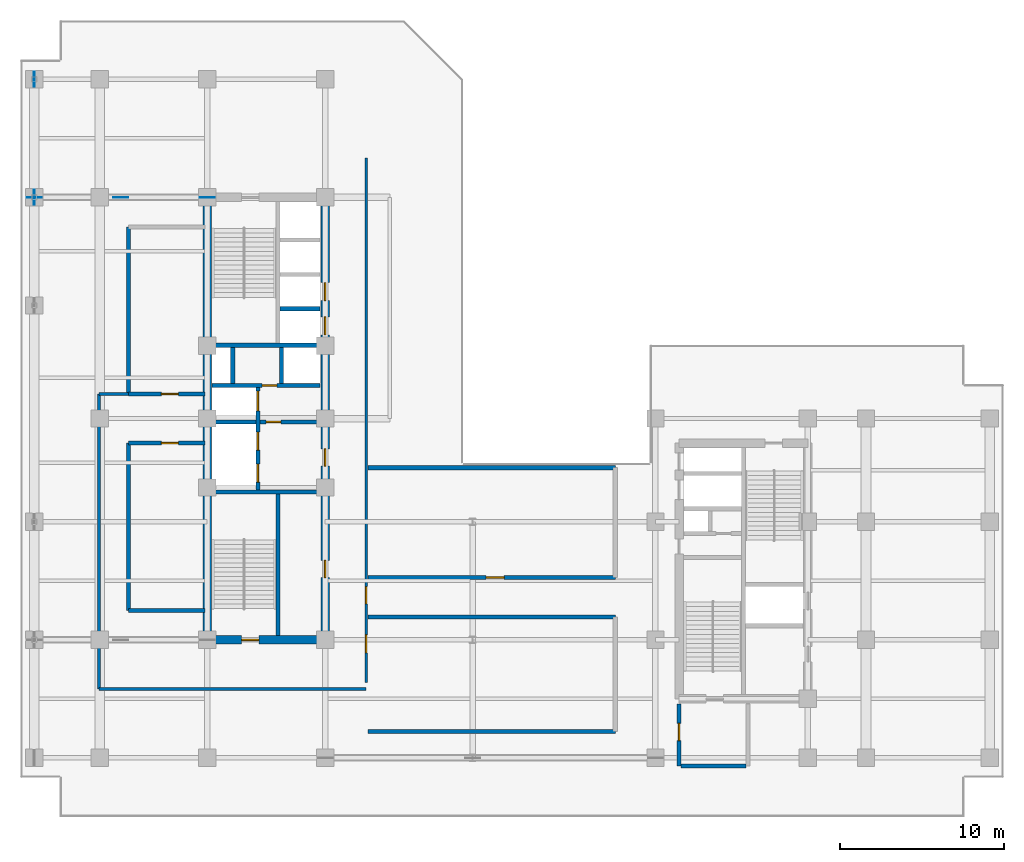
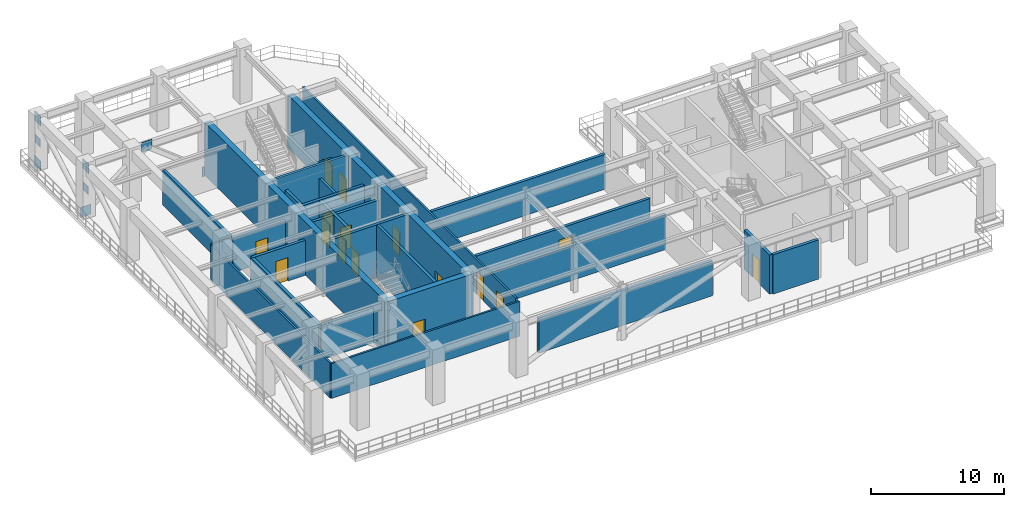
# One storey, part 6 of 16: 28 walls, 16 doors, 8 plates, 16 openings.
"""IFC4 building model written with IfcOpenShell, lengths in metres."""

import ifcopenshell
import ifcopenshell.guid

model = None  # the IFC model being written
_history = None  # IfcOwnerHistory: only IFC2X3 demands one
_inside = {}  # id of a spatial element -> (the spatial element, [elements in it])
_under = {}  # id of a project, library or spatial element -> (it, [spatial elements below it])
_declared = {}  # id of a project -> (the project, [libraries it declares])
_typed = {}  # id of a type object -> (the type object, [elements of that type])
_made_of = {}  # id of a material, layer set ... -> (it, [elements and type objects made of it])


def new_model(schema):
    """Start an empty IFC model of exactly this schema.

    Asked for "IFC4X3", IfcOpenShell would pick the latest addendum, in which some entities
    have other attributes; the version numbers below select the first issue.
    IFC2X3 requires an IfcOwnerHistory on every rooted entity: one is made here for all.
    """
    global model, _history
    if schema == "IFC4X3":
        model = ifcopenshell.file(schema_version=(4, 3, 0, 0))
    else:
        model = ifcopenshell.file(schema=schema)
    _inside.clear()
    _under.clear()
    _declared.clear()
    _typed.clear()
    _made_of.clear()
    _history = None
    if model.schema == "IFC2X3":
        org = make("IfcOrganization", Name="unknown")
        user = make(
            "IfcPersonAndOrganization",
            ThePerson=make("IfcPerson", FamilyName="unknown"),
            TheOrganization=org,
        )
        app = make(
            "IfcApplication",
            ApplicationDeveloper=org,
            Version="unknown",
            ApplicationFullName="unknown",
            ApplicationIdentifier="unknown",
        )
        _history = make(
            "IfcOwnerHistory",
            OwningUser=user,
            OwningApplication=app,
            ChangeAction="ADDED",
            CreationDate=0,
        )
    return model


def make(cls, **values):
    """One entity of the class cls with the attributes given. An attribute that is None is left unset."""
    return model.create_entity(
        cls, **{name: value for name, value in values.items() if value is not None}
    )


def entity(cls, *values):
    """Any entity or typed value of the class cls, its attributes in the order of the schema. None: left unset."""
    e = model.create_entity(cls)
    for i, value in enumerate(values):
        if value is not None:
            e[i] = value
    return e


def rooted(cls, **values):
    """An entity with a GlobalId (a new one), such as an element, a storey or a relation."""
    return make(cls, GlobalId=ifcopenshell.guid.new(), OwnerHistory=_history, **values)


def si_unit(unit_type, name, prefix=None):
    """IfcSIUnit, for example si_unit("LENGTHUNIT", "METRE", prefix="MILLI")."""
    return make("IfcSIUnit", UnitType=unit_type, Prefix=prefix, Name=name)


def converted_unit(unit_type, name, factor, base, dimensions=None, offset=None):
    """IfcConversionBasedUnit, such as the inch: factor (a typed value) times the base unit."""
    return make(
        "IfcConversionBasedUnit"
        if offset is None
        else "IfcConversionBasedUnitWithOffset",
        ConversionOffset=offset,
        Dimensions=None
        if dimensions is None
        else entity("IfcDimensionalExponents", *dimensions),
        UnitType=unit_type,
        Name=name,
        ConversionFactor=make(
            "IfcMeasureWithUnit", ValueComponent=factor, UnitComponent=base
        ),
    )


def assignment(units):
    """IfcUnitAssignment: the units of a project."""
    return None if units is None else make("IfcUnitAssignment", Units=units)


def point(xyz):
    """IfcCartesianPoint."""
    return None if xyz is None else make("IfcCartesianPoint", Coordinates=xyz)


def direction(xyz):
    """IfcDirection."""
    return None if xyz is None else make("IfcDirection", DirectionRatios=xyz)


def frame(location, z_axis=None, x_axis=None):
    """IfcAxis2Placement3D, a coordinate frame: its origin and axes. An axis left out is left unset."""
    return make(
        "IfcAxis2Placement3D",
        Location=point(location),
        Axis=direction(z_axis),
        RefDirection=direction(x_axis),
    )


def frame_2d(location, x_axis=None):
    """IfcAxis2Placement2D, a coordinate frame in the plane: its origin and x axis."""
    return make(
        "IfcAxis2Placement2D", Location=point(location), RefDirection=direction(x_axis)
    )


def origin_with_axes():
    """The frame at (0, 0, 0) with the z axis (0, 0, 1) and the x axis (1, 0, 0) written out."""
    return frame((0.0, 0.0, 0.0), z_axis=(0.0, 0.0, 1.0), x_axis=(1.0, 0.0, 0.0))


def origin_2d_with_axis():
    """The frame at (0, 0) in the plane with the x axis (1, 0) written out."""
    return frame_2d((0.0, 0.0), x_axis=(1.0, 0.0))


def place(relative_to, where):
    """IfcLocalPlacement: puts the frame where relative to a parent placement (None: the world)."""
    return make(
        "IfcLocalPlacement", PlacementRelTo=relative_to, RelativePlacement=where
    )


def context(
    kind, dimensions, precision=None, world=None, true_north=None, identifier=None
):
    """IfcGeometricRepresentationContext, for example the 3D "Model" context."""
    return make(
        "IfcGeometricRepresentationContext",
        ContextIdentifier=identifier,
        ContextType=kind,
        CoordinateSpaceDimension=dimensions,
        Precision=precision,
        WorldCoordinateSystem=world,
        TrueNorth=true_north,
    )


def subcontext(parent, identifier, kind, view, scale=None):
    """IfcGeometricRepresentationSubContext, for example "Body" below "Model"."""
    return make(
        "IfcGeometricRepresentationSubContext",
        ContextIdentifier=identifier,
        ContextType=kind,
        ParentContext=parent,
        TargetScale=scale,
        TargetView=view,
    )


def project(units=None, contexts=None):
    """IfcProject with its units and contexts."""
    return rooted(
        "IfcProject",
        Name="project",
        RepresentationContexts=contexts,
        UnitsInContext=assignment(units),
    )


def spatial(cls, under=None, at=None, **own):
    """A site, building, storey or space (cls), placed at a placement, below another one or the project."""
    s = rooted(cls, ObjectPlacement=at, **own)
    if under is not None:
        _under.setdefault(under.id(), (under, []))[1].append(s)
    return s


def polyline(points):
    """IfcPolyline through the points."""
    return make("IfcPolyline", Points=[point(p) for p in points])


def profile(cls, at=None, kind="AREA", **sizes):
    """A parametric profile (cls). Its sizes go by their IFC names, for example OverallWidth=200.0."""
    return make(cls, ProfileType=kind, Position=at, **sizes)


def rectangle(**sizes):
    """IfcRectangleProfileDef."""
    return profile("IfcRectangleProfileDef", **sizes)


def outline(outer, holes=None, kind="AREA"):
    """IfcArbitraryClosedProfileDef: a profile drawn as a closed curve; with holes, ...WithVoids."""
    if holes is None:
        return make("IfcArbitraryClosedProfileDef", ProfileType=kind, OuterCurve=outer)
    return make(
        "IfcArbitraryProfileDefWithVoids",
        ProfileType=kind,
        OuterCurve=outer,
        InnerCurves=holes,
    )


def extrude(swept, where, along, depth):
    """IfcExtrudedAreaSolid: the profile swept, set in the frame where, extruded along a direction by depth."""
    return make(
        "IfcExtrudedAreaSolid",
        SweptArea=swept,
        Position=where,
        ExtrudedDirection=direction(along),
        Depth=depth,
    )


def shape(context_of_items, identifier, shape_type, items):
    """IfcShapeRepresentation: the items that make up one representation, for example the "Body"."""
    return make(
        "IfcShapeRepresentation",
        ContextOfItems=context_of_items,
        RepresentationIdentifier=identifier,
        RepresentationType=shape_type,
        Items=items,
    )


def material(Name=None, Category=None):
    """IfcMaterial."""
    return make("IfcMaterial", Name=Name, Category=Category)


def layer(
    of_material, thickness, ventilated=None, Name=None, Category=None, Priority=None
):
    """IfcMaterialLayer: one layer of a wall or slab, of a material (None: an air gap)."""
    return make(
        "IfcMaterialLayer",
        Material=of_material,
        LayerThickness=thickness,
        IsVentilated=ventilated,
        Name=Name,
        Category=Category,
        Priority=Priority,
    )


def layer_set(layers, Name=None):
    """IfcMaterialLayerSet."""
    return make("IfcMaterialLayerSet", MaterialLayers=layers, LayerSetName=Name)


def made_of(thing, what):
    """Note that an element or type object is made of a material, layer set ...; save() writes the relation."""
    if what is not None:
        _made_of.setdefault(what.id(), (what, []))[1].append(thing)
    return thing


def type_object(cls, material=None, **own):
    """A type object (cls), such as IfcWallType, which elements share."""
    return made_of(rooted(cls, **own), material)


def element(
    cls,
    number,
    at=None,
    inside=None,
    cuts=None,
    type_object=None,
    material=None,
    context=None,
    identifier="Body",
    shape_type=None,
    held_by="IfcProductDefinitionShape",
    body=None,
    shapes=None,
    **own,
):
    """One element of the class cls, such as IfcWall. Its Tag is "e" and its number.

    at: its placement. inside: the storey or other place that contains it. cuts: it is an
    opening in that element (IfcRelVoidsElement). A single representation is given by context,
    identifier, shape_type and body (its items); several are given by shapes. held_by: the class
    of the entity that holds the representations. save() writes the other relations.
    """
    e = rooted(cls, Tag="e%d" % number, ObjectPlacement=at, **own)
    if body is not None:
        shapes = [shape(context, identifier, shape_type, body)]
    if shapes is not None:
        e.Representation = make(held_by, Representations=shapes)
    if inside is not None:
        _inside.setdefault(inside.id(), (inside, []))[1].append(e)
    if cuts is not None:
        rooted(
            "IfcRelVoidsElement", RelatingBuildingElement=cuts, RelatedOpeningElement=e
        )
    if type_object is not None:
        _typed.setdefault(type_object.id(), (type_object, []))[1].append(e)
    return made_of(e, material)


def fill(opening, filler):
    """IfcRelFillsElement: the door or window that sits in an opening."""
    return rooted(
        "IfcRelFillsElement",
        RelatingOpeningElement=opening,
        RelatedBuildingElement=filler,
    )


def aggregate(whole, parts):
    """IfcRelAggregates: a whole, such as a stair, and the parts it consists of."""
    return rooted("IfcRelAggregates", RelatingObject=whole, RelatedObjects=parts)


def save(model, path):
    """Write the relations noted so far, then the file.

    IfcRelAggregates (storeys below a building ...), IfcRelContainedInSpatialStructure (elements
    in a storey), IfcRelDefinesByType, IfcRelAssociatesMaterial and IfcRelDeclares: one each for
    every whole, place, type object, material and project.
    """
    for whole, parts in _under.values():
        aggregate(whole, parts)
    for where, things in _inside.values():
        rooted(
            "IfcRelContainedInSpatialStructure",
            RelatedElements=things,
            RelatingStructure=where,
        )
    for kind, things in _typed.values():
        rooted("IfcRelDefinesByType", RelatedObjects=things, RelatingType=kind)
    for what, things in _made_of.values():
        rooted("IfcRelAssociatesMaterial", RelatedObjects=things, RelatingMaterial=what)
    for by, libraries in _declared.values():
        rooted("IfcRelDeclares", RelatingContext=by, RelatedDefinitions=libraries)
    model.write(path)


model = new_model("IFC4")

# Units and contexts
model_context = context("Model", 3, precision=1e-05, world=origin_with_axes(), true_north=direction((0.0, 1.0)))
body_context = subcontext(model_context, "Body", "Model", "MODEL_VIEW")
ifc_project = project(units=[si_unit("LENGTHUNIT", "METRE"), si_unit("AREAUNIT", "SQUARE_METRE"), si_unit("VOLUMEUNIT", "CUBIC_METRE"), converted_unit("PLANEANGLEUNIT", "DEGREE", entity("IfcPlaneAngleMeasure", 0.017453292519943295), si_unit("PLANEANGLEUNIT", "RADIAN"), dimensions=[0, 0, 0, 0, 0, 0, 0]), si_unit("MASSUNIT", "GRAM", prefix="KILO"), si_unit("THERMODYNAMICTEMPERATUREUNIT", "KELVIN")], contexts=[model_context])

# Site, building, storey
site_placement = place(None, origin_with_axes())
site = spatial("IfcSite", under=ifc_project, at=site_placement, CompositionType="ELEMENT")
building_placement = place(site_placement, origin_with_axes())
building = spatial("IfcBuilding", under=site, at=building_placement, Name="Varnlund Millrace Tower", CompositionType="ELEMENT")
storey_placement = place(building_placement, frame((0.0, 0.0, 187.5), z_axis=(0.0, 0.0, 1.0), x_axis=(1.0, 0.0, 0.0)))
storey = spatial("IfcBuildingStorey", under=building, at=storey_placement, Name="L46", CompositionType="ELEMENT", Elevation=187.5)

# Plates
ifc_material_1 = material(Name="Steel ASTM A572 Grade 50", Category="steel")
ifc_layer_1 = layer(ifc_material_1, 0.04, Name="Steel ASTM A572 Grade 50")
ifc_layer_set_1 = layer_set([ifc_layer_1], Name="Steel ASTM A572 Grade 50")
plate_type_1 = type_object("IfcPlateType", Name="Type-Gusset-Plate-900X900X40", PredefinedType="SHEET", material=ifc_layer_set_1)
for number, where, z_axis, x_axis, name in (
    (1, (0.85, 37.8, -0.1), (0.0, 0.0, 1.0), (1.0, 0.0, 0.0), "Type-Gusset-Plate-900X900X40"),
    (2, (0.85, 37.8, 4.0), (0.0, 0.0, 1.0), (0.0, 1.0, 0.0), "Type-Gusset-Plate-900X900X40"),
    (3, (0.85, 45.0, -0.1), (0.0, 0.0, 1.0), (0.0, 1.0, 0.0), "Type-Gusset-Plate-900X900X40"),
    (4, (0.85, 45.0, 4.0), (0.0, 0.0, 1.0), (0.0, 1.0, 0.0), "Type-Gusset-Plate-900X900X40"),
    (5, (6.125, 37.8, 4.0), (0.0, 0.0, 1.0), (1.0, 0.0, 0.0), "Type-Gusset-Plate-900X900X40"),
    (6, (11.4, 37.8, -0.1), (0.0, 0.0, 1.0), (1.0, 0.0, 0.0), "Type-Gusset-Plate-900X900X40"),
):
    element("IfcPlate", number, at=place(storey_placement, frame(where, z_axis=z_axis, x_axis=x_axis)), inside=storey, type_object=plate_type_1, Name=name, PredefinedType="SHEET", context=body_context, shape_type="SweptSolid", body=[
        extrude(rectangle(XDim=0.9, YDim=0.04, at=origin_2d_with_axis()), origin_with_axes(), (0.0, 0.0, 1.0), 0.9),
    ])
ifc_layer_2 = layer(ifc_material_1, 0.032, Name="Steel ASTM A572 Grade 50")
ifc_layer_set_2 = layer_set([ifc_layer_2], Name="Steel ASTM A572 Grade 50")
plate_type_2 = type_object("IfcPlateType", Name="Type-Stiffener-Plate-750X750X32", PredefinedType="USERDEFINED", material=ifc_layer_set_2)
for number, where, z_axis, x_axis, name in (
    (7, (0.85, 37.8, 2.025), (0.0, 0.0, 1.0), (0.0, 1.0, 0.0), "Type-Stiffener-Plate-750X750X32"),
    (8, (0.85, 45.0, 2.025), (0.0, 0.0, 1.0), (0.0, 1.0, 0.0), "Type-Stiffener-Plate-750X750X32"),
):
    element("IfcPlate", number, at=place(storey_placement, frame(where, z_axis=z_axis, x_axis=x_axis)), inside=storey, type_object=plate_type_2, Name=name, ObjectType="STIFFENER PLATE", PredefinedType="USERDEFINED", context=body_context, shape_type="SweptSolid", body=[
        extrude(rectangle(XDim=0.75, YDim=0.032, at=origin_2d_with_axis()), origin_with_axes(), (0.0, 0.0, 1.0), 0.75),
    ])

# Wall
ifc_material_2 = material(Name="Concrete C70/85", Category="concrete")
ifc_layer_3 = layer(ifc_material_2, 0.5, Name="Concrete C70/85")
ifc_layer_set_3 = layer_set([ifc_layer_3], Name="Concrete C70/85")
wall_type_1 = type_object("IfcWallType", Name="Type-CoreWall-Shear-500-C70", PredefinedType="SHEAR", material=ifc_layer_set_3)
wall_1_placement = place(storey_placement, frame((11.4, 10.8, 0.0), z_axis=(0.0, 0.0, 1.0), x_axis=(0.0, 1.0, 0.0)))
element("IfcWall", 9, at=wall_1_placement, inside=storey, type_object=wall_type_1, Name="Type-CoreWall-Shear-500-C70", PredefinedType="SHEAR", context=body_context, shape_type="SweptSolid", body=[
    extrude(outline(polyline([(0.0, -0.25), (27.0, -0.25), (27.0, 0.25), (0.0, 0.25), (0.0, -0.25)])), origin_with_axes(), (0.0, 0.0, 1.0), 4.86),
])

# Wall, opening, door
wall_2_placement = place(storey_placement, frame((11.4, 10.8, 0.0), z_axis=(0.0, 0.0, 1.0), x_axis=(1.0, 0.0, 0.0)))
wall_2 = element("IfcWall", 10, at=wall_2_placement, inside=storey, type_object=wall_type_1, Name="Type-CoreWall-Shear-500-C70", PredefinedType="SHEAR", context=body_context, shape_type="SweptSolid", body=[
    extrude(outline(polyline([(0.0, -0.25), (7.2, -0.25), (7.2, 0.25), (0.0, 0.25), (0.0, -0.25)])), origin_with_axes(), (0.0, 0.0, 1.0), 4.86),
])
opening_1_placement = place(wall_2_placement, frame((2.625, 0.0, 0.0), z_axis=(0.0, 0.0, 1.0), x_axis=(1.0, 0.0, 0.0)))
opening_1 = element("IfcOpeningElement", 11, at=opening_1_placement, cuts=wall_2, Name="Opening L46:DR-STA1", PredefinedType="OPENING", context=body_context, shape_type="SweptSolid", body=[
    extrude(rectangle(XDim=1.05, YDim=0.52, at=origin_2d_with_axis()), origin_with_axes(), (0.0, 0.0, 1.0), 2.15),
])
ifc_material_3 = material(Name="Fire-rated hollow steel door", Category="steel")
door_type_1 = type_object("IfcDoorType", Name="Type-FireDoor-Stair-1050X2150", OperationType="NOTDEFINED", PredefinedType="DOOR", material=ifc_material_3)
door_1_placement = place(wall_2_placement, frame((2.625, 0.0, 0.0), z_axis=(0.0, 0.0, 1.0), x_axis=(1.0, 0.0, 0.0)))
door_1 = element("IfcDoor", 12, at=door_1_placement, inside=storey, type_object=door_type_1, Name="Type-FireDoor-Stair-1050X2150", OperationType="SINGLE_SWING_LEFT", OverallHeight=2.15, OverallWidth=1.05, PredefinedType="DOOR", context=body_context, shape_type="SweptSolid", body=[
    extrude(rectangle(XDim=1.05, YDim=0.09, at=origin_2d_with_axis()), origin_with_axes(), (0.0, 0.0, 1.0), 2.15),
])
fill(opening_1, door_1)

# Wall, openings, doors
wall_3_placement = place(storey_placement, frame((18.6, 10.8, 0.0), z_axis=(0.0, 0.0, 1.0), x_axis=(0.0, 1.0, 0.0)))
wall_3 = element("IfcWall", 13, at=wall_3_placement, inside=storey, type_object=wall_type_1, Name="Type-CoreWall-Shear-500-C70", PredefinedType="SHEAR", context=body_context, shape_type="SweptSolid", body=[
    extrude(outline(polyline([(0.0, -0.25), (13.5, -0.25), (13.5, 0.25), (0.0, 0.25), (0.0, -0.25)])), origin_with_axes(), (0.0, 0.0, 1.0), 4.86),
])
opening_2_placement = place(wall_3_placement, frame((11.125, 0.0, 0.0), z_axis=(0.0, 0.0, 1.0), x_axis=(1.0, 0.0, 0.0)))
opening_2 = element("IfcOpeningElement", 14, at=opening_2_placement, cuts=wall_3, Name="Opening L46:DR-FFLOB-A", PredefinedType="OPENING", context=body_context, shape_type="SweptSolid", body=[
    extrude(rectangle(XDim=1.05, YDim=0.52, at=origin_2d_with_axis()), origin_with_axes(), (0.0, 0.0, 1.0), 2.15),
])
opening_3_placement = place(wall_3_placement, frame((4.325, 0.0, 0.0), z_axis=(0.0, 0.0, 1.0), x_axis=(1.0, 0.0, 0.0)))
opening_3 = element("IfcOpeningElement", 15, at=opening_3_placement, cuts=wall_3, Name="Opening L46:DR-RECL-A1", PredefinedType="OPENING", context=body_context, shape_type="SweptSolid", body=[
    extrude(rectangle(XDim=1.05, YDim=0.52, at=origin_2d_with_axis()), origin_with_axes(), (0.0, 0.0, 1.0), 2.15),
])
ifc_material_4 = material(Name="Smoke-barrier hollow steel fire door", Category="steel")
door_type_2 = type_object("IfcDoorType", Name="Type-FireDoor-Lobby-1050X2150", OperationType="NOTDEFINED", PredefinedType="DOOR", material=ifc_material_4)
door_2_placement = place(wall_3_placement, frame((11.125, 0.0, 0.0), z_axis=(0.0, 0.0, 1.0), x_axis=(1.0, 0.0, 0.0)))
door_2 = element("IfcDoor", 16, at=door_2_placement, inside=storey, type_object=door_type_2, Name="Type-FireDoor-Lobby-1050X2150", OperationType="SINGLE_SWING_LEFT", OverallHeight=2.15, OverallWidth=1.05, PredefinedType="DOOR", context=body_context, shape_type="SweptSolid", body=[
    extrude(rectangle(XDim=1.05, YDim=0.09, at=origin_2d_with_axis()), origin_with_axes(), (0.0, 0.0, 1.0), 2.15),
])
fill(opening_2, door_2)
door_3_placement = place(wall_3_placement, frame((4.325, 0.0, 0.0), z_axis=(0.0, 0.0, 1.0), x_axis=(1.0, 0.0, 0.0)))
door_3 = element("IfcDoor", 17, at=door_3_placement, inside=storey, type_object=door_type_2, Name="Type-FireDoor-Lobby-1050X2150", OperationType="SINGLE_SWING_LEFT", OverallHeight=2.15, OverallWidth=1.05, PredefinedType="DOOR", context=body_context, shape_type="SweptSolid", body=[
    extrude(rectangle(XDim=1.05, YDim=0.09, at=origin_2d_with_axis()), origin_with_axes(), (0.0, 0.0, 1.0), 2.15),
])
fill(opening_3, door_3)

wall_4_placement = place(storey_placement, frame((18.6, 24.3, 0.0), z_axis=(0.0, 0.0, 1.0), x_axis=(0.0, 1.0, 0.0)))
wall_4 = element("IfcWall", 18, at=wall_4_placement, inside=storey, type_object=wall_type_1, Name="Type-CoreWall-Shear-500-C70", PredefinedType="SHEAR", context=body_context, shape_type="SweptSolid", body=[
    extrude(outline(polyline([(0.0, -0.25), (13.5, -0.25), (13.5, 0.25), (0.0, 0.25), (0.0, -0.25)])), origin_with_axes(), (0.0, 0.0, 1.0), 4.86),
])
opening_4_placement = place(wall_4_placement, frame((5.65, 0.0, 0.0), z_axis=(0.0, 0.0, 1.0), x_axis=(1.0, 0.0, 0.0)))
opening_4 = element("IfcOpeningElement", 19, at=opening_4_placement, cuts=wall_4, Name="Opening L46:LD-ELV-M1", PredefinedType="OPENING", context=body_context, shape_type="SweptSolid", body=[
    extrude(rectangle(XDim=1.1, YDim=0.52, at=origin_2d_with_axis()), origin_with_axes(), (0.0, 0.0, 1.0), 2.15),
])
opening_5_placement = place(wall_4_placement, frame((7.75, 0.0, 0.0), z_axis=(0.0, 0.0, 1.0), x_axis=(1.0, 0.0, 0.0)))
opening_5 = element("IfcOpeningElement", 20, at=opening_5_placement, cuts=wall_4, Name="Opening L46:LD-ELV-M2", PredefinedType="OPENING", context=body_context, shape_type="SweptSolid", body=[
    extrude(rectangle(XDim=1.1, YDim=0.52, at=origin_2d_with_axis()), origin_with_axes(), (0.0, 0.0, 1.0), 2.15),
])
ifc_material_5 = material(Name="Stainless and architectural bronze sliding landing door")
door_type_3 = type_object("IfcDoorType", Name="Type-LiftLandingDoor-1100X2150", OperationType="NOTDEFINED", PredefinedType="DOOR", material=ifc_material_5)
door_4_placement = place(wall_4_placement, frame((5.65, 0.0, 0.0), z_axis=(0.0, 0.0, 1.0), x_axis=(1.0, 0.0, 0.0)))
door_4 = element("IfcDoor", 21, at=door_4_placement, inside=storey, type_object=door_type_3, Name="Type-LiftLandingDoor-1100X2150", OperationType="SLIDING_TO_LEFT", OverallHeight=2.15, OverallWidth=1.1, PredefinedType="DOOR", context=body_context, shape_type="SweptSolid", body=[
    extrude(rectangle(XDim=1.1, YDim=0.09, at=origin_2d_with_axis()), origin_with_axes(), (0.0, 0.0, 1.0), 2.15),
])
fill(opening_4, door_4)
door_5_placement = place(wall_4_placement, frame((7.75, 0.0, 0.0), z_axis=(0.0, 0.0, 1.0), x_axis=(1.0, 0.0, 0.0)))
door_5 = element("IfcDoor", 22, at=door_5_placement, inside=storey, type_object=door_type_3, Name="Type-LiftLandingDoor-1100X2150", OperationType="SLIDING_TO_RIGHT", OverallHeight=2.15, OverallWidth=1.1, PredefinedType="DOOR", context=body_context, shape_type="SweptSolid", body=[
    extrude(rectangle(XDim=1.1, YDim=0.09, at=origin_2d_with_axis()), origin_with_axes(), (0.0, 0.0, 1.0), 2.15),
])
fill(opening_5, door_5)

ifc_material_6 = material(Name="Fire-rated gypsum board on cold-formed steel framing", Category="steel")
ifc_layer_4 = layer(ifc_material_6, 0.16, Name="Fire-rated gypsum board on cold-formed steel framing")
ifc_layer_set_4 = layer_set([ifc_layer_4], Name="Fire-rated gypsum board on cold-formed steel framing")
wall_type_2 = type_object("IfcWallType", Name="Type-Partition-Corridor-160", PredefinedType="PARTITIONING", material=ifc_layer_set_4)
wall_5_placement = place(storey_placement, frame((21.1, 8.2, 0.0), z_axis=(0.0, 0.0, 1.0), x_axis=(0.0, 1.0, 0.0)))
wall_5 = element("IfcWall", 23, at=wall_5_placement, inside=storey, type_object=wall_type_2, Name="Type-Partition-Corridor-160", PredefinedType="PARTITIONING", context=body_context, shape_type="SweptSolid", body=[
    extrude(outline(polyline([(0.0, -0.08), (32.0, -0.08), (32.0, 0.08), (0.0, 0.08), (0.0, -0.08)])), origin_with_axes(), (0.0, 0.0, 1.0), 3.2),
])
opening_6_placement = place(wall_5_placement, frame((5.325, 0.0, 0.0), z_axis=(0.0, 0.0, 1.0), x_axis=(1.0, 0.0, 0.0)))
opening_6 = element("IfcOpeningElement", 24, at=opening_6_placement, cuts=wall_5, Name="Opening L46:DR-PLT-XOVR", PredefinedType="OPENING", context=body_context, shape_type="SweptSolid", body=[
    extrude(rectangle(XDim=1.05, YDim=0.18, at=origin_2d_with_axis()), origin_with_axes(), (0.0, 0.0, 1.0), 2.15),
])
opening_7_placement = place(wall_5_placement, frame((2.35, 0.0, 0.0), z_axis=(0.0, 0.0, 1.0), x_axis=(1.0, 0.0, 0.0)))
opening_7 = element("IfcOpeningElement", 25, at=opening_7_placement, cuts=wall_5, Name="Opening L46:DR-PLT-HEX", PredefinedType="OPENING", context=body_context, shape_type="SweptSolid", body=[
    extrude(rectangle(XDim=1.1, YDim=0.18, at=origin_2d_with_axis()), origin_with_axes(), (0.0, 0.0, 1.0), 2.15),
])
door_6_placement = place(wall_5_placement, frame((5.325, 0.0, 0.0), z_axis=(0.0, 0.0, 1.0), x_axis=(1.0, 0.0, 0.0)))
door_6 = element("IfcDoor", 26, at=door_6_placement, inside=storey, type_object=door_type_2, Name="Type-FireDoor-Lobby-1050X2150", OperationType="SINGLE_SWING_LEFT", OverallHeight=2.15, OverallWidth=1.05, PredefinedType="DOOR", context=body_context, shape_type="SweptSolid", body=[
    extrude(rectangle(XDim=1.05, YDim=0.09, at=origin_2d_with_axis()), origin_with_axes(), (0.0, 0.0, 1.0), 2.15),
])
fill(opening_6, door_6)
ifc_material_7 = material(Name="Fire-rated mechanical room steel door", Category="steel")
door_type_4 = type_object("IfcDoorType", Name="Type-FireDoor-Plant-1100X2150", OperationType="NOTDEFINED", PredefinedType="DOOR", material=ifc_material_7)
door_7_placement = place(wall_5_placement, frame((2.35, 0.0, 0.0), z_axis=(0.0, 0.0, 1.0), x_axis=(1.0, 0.0, 0.0)))
door_7 = element("IfcDoor", 27, at=door_7_placement, inside=storey, type_object=door_type_4, Name="Type-FireDoor-Plant-1100X2150", OperationType="SINGLE_SWING_RIGHT", OverallHeight=2.15, OverallWidth=1.1, PredefinedType="DOOR", context=body_context, shape_type="SweptSolid", body=[
    extrude(rectangle(XDim=1.1, YDim=0.09, at=origin_2d_with_axis()), origin_with_axes(), (0.0, 0.0, 1.0), 2.15),
])
fill(opening_7, door_7)

# Walls
wall_6_placement = place(storey_placement, frame((4.8, 7.8, 0.0), z_axis=(0.0, 0.0, 1.0), x_axis=(0.0, 1.0, 0.0)))
element("IfcWall", 28, at=wall_6_placement, inside=storey, type_object=wall_type_2, Name="Type-Partition-Corridor-160", PredefinedType="PARTITIONING", context=body_context, shape_type="SweptSolid", body=[
    extrude(outline(polyline([(0.0, -0.08), (18.0, -0.08), (18.0, 0.08), (0.0, 0.08), (0.0, -0.08)])), origin_with_axes(), (0.0, 0.0, 1.0), 3.2),
])
wall_7_placement = place(storey_placement, frame((4.8, 7.8, 0.0), z_axis=(0.0, 0.0, 1.0), x_axis=(1.0, 0.0, 0.0)))
element("IfcWall", 29, at=wall_7_placement, inside=storey, type_object=wall_type_2, Name="Type-Partition-Corridor-160", PredefinedType="PARTITIONING", context=body_context, shape_type="SweptSolid", body=[
    extrude(outline(polyline([(0.0, -0.08), (16.3, -0.08), (16.3, 0.08), (0.0, 0.08), (0.0, -0.08)])), origin_with_axes(), (0.0, 0.0, 1.0), 3.2),
])
wall_8_placement = place(storey_placement, frame((4.8, 25.8, 0.0), z_axis=(0.0, 0.0, 1.0), x_axis=(1.0, 0.0, 0.0)))
element("IfcWall", 30, at=wall_8_placement, inside=storey, type_object=wall_type_2, Name="Type-Partition-Corridor-160", PredefinedType="PARTITIONING", context=body_context, shape_type="SweptSolid", body=[
    extrude(outline(polyline([(0.0, -0.08), (1.8, -0.08), (1.8, 0.08), (0.0, 0.08), (0.0, -0.08)])), origin_with_axes(), (0.0, 0.0, 1.0), 3.2),
])

# Wall, openings, doors
ifc_material_8 = material(Name="Concrete C60/75", Category="concrete")
ifc_layer_5 = layer(ifc_material_8, 0.25, Name="Concrete C60/75")
ifc_layer_set_5 = layer_set([ifc_layer_5], Name="Concrete C60/75")
wall_type_3 = type_object("IfcWallType", Name="Type-ShaftWall-Fire-250", PredefinedType="SOLIDWALL", material=ifc_layer_set_5)
wall_9_placement = place(storey_placement, frame((14.5, 19.95, 0.0), z_axis=(0.0, 0.0, 1.0), x_axis=(0.0, 1.0, 0.0)))
wall_9 = element("IfcWall", 31, at=wall_9_placement, inside=storey, type_object=wall_type_3, Name="Type-ShaftWall-Fire-250", PredefinedType="SOLIDWALL", context=body_context, shape_type="SweptSolid", body=[
    extrude(outline(polyline([(0.0, -0.125), (6.25, -0.125), (6.25, 0.125), (0.0, 0.125), (0.0, -0.125)])), origin_with_axes(), (0.0, 0.0, 1.0), 3.6),
])
opening_8_placement = place(wall_9_placement, frame((1.025, 0.0, 0.0), z_axis=(0.0, 0.0, 1.0), x_axis=(1.0, 0.0, 0.0)))
opening_8 = element("IfcOpeningElement", 32, at=opening_8_placement, cuts=wall_9, Name="Opening L46:LD-FSAE1", PredefinedType="OPENING", context=body_context, shape_type="SweptSolid", body=[
    extrude(rectangle(XDim=1.1, YDim=0.27, at=origin_2d_with_axis()), origin_with_axes(), (0.0, 0.0, 1.0), 2.15),
])
opening_9_placement = place(wall_9_placement, frame((2.975, 0.0, 0.0), z_axis=(0.0, 0.0, 1.0), x_axis=(1.0, 0.0, 0.0)))
opening_9 = element("IfcOpeningElement", 33, at=opening_9_placement, cuts=wall_9, Name="Opening L46:LD-FSAE2", PredefinedType="OPENING", context=body_context, shape_type="SweptSolid", body=[
    extrude(rectangle(XDim=1.1, YDim=0.27, at=origin_2d_with_axis()), origin_with_axes(), (0.0, 0.0, 1.0), 2.15),
])
opening_10_placement = place(wall_9_placement, frame((5.425, 0.0, 0.0), z_axis=(0.0, 0.0, 1.0), x_axis=(1.0, 0.0, 0.0)))
opening_10 = element("IfcOpeningElement", 34, at=opening_10_placement, cuts=wall_9, Name="Opening L46:LD-SRV1", PredefinedType="OPENING", context=body_context, shape_type="SweptSolid", body=[
    extrude(rectangle(XDim=1.2, YDim=0.27, at=origin_2d_with_axis()), origin_with_axes(), (0.0, 0.0, 1.0), 2.15),
])
door_8_placement = place(wall_9_placement, frame((1.025, 0.0, 0.0), z_axis=(0.0, 0.0, 1.0), x_axis=(1.0, 0.0, 0.0)))
door_8 = element("IfcDoor", 35, at=door_8_placement, inside=storey, type_object=door_type_3, Name="Type-LiftLandingDoor-1100X2150", OperationType="SLIDING_TO_LEFT", OverallHeight=2.15, OverallWidth=1.1, PredefinedType="DOOR", context=body_context, shape_type="SweptSolid", body=[
    extrude(rectangle(XDim=1.1, YDim=0.09, at=origin_2d_with_axis()), origin_with_axes(), (0.0, 0.0, 1.0), 2.15),
])
fill(opening_8, door_8)
door_9_placement = place(wall_9_placement, frame((2.975, 0.0, 0.0), z_axis=(0.0, 0.0, 1.0), x_axis=(1.0, 0.0, 0.0)))
door_9 = element("IfcDoor", 36, at=door_9_placement, inside=storey, type_object=door_type_3, Name="Type-LiftLandingDoor-1100X2150", OperationType="SLIDING_TO_RIGHT", OverallHeight=2.15, OverallWidth=1.1, PredefinedType="DOOR", context=body_context, shape_type="SweptSolid", body=[
    extrude(rectangle(XDim=1.1, YDim=0.09, at=origin_2d_with_axis()), origin_with_axes(), (0.0, 0.0, 1.0), 2.15),
])
fill(opening_9, door_9)
ifc_material_9 = material(Name="Heavy-duty freight sliding landing door")
door_type_5 = type_object("IfcDoorType", Name="Type-LiftLandingDoor-Service-1200X2150", OperationType="NOTDEFINED", PredefinedType="DOOR", material=ifc_material_9)
door_10_placement = place(wall_9_placement, frame((5.425, 0.0, 0.0), z_axis=(0.0, 0.0, 1.0), x_axis=(1.0, 0.0, 0.0)))
door_10 = element("IfcDoor", 37, at=door_10_placement, inside=storey, type_object=door_type_5, Name="Type-LiftLandingDoor-Service-1200X2150", OperationType="DOUBLE_DOOR_SLIDING", OverallHeight=2.15, OverallWidth=1.2, PredefinedType="DOOR", context=body_context, shape_type="SweptSolid", body=[
    extrude(rectangle(XDim=1.2, YDim=0.09, at=origin_2d_with_axis()), origin_with_axes(), (0.0, 0.0, 1.0), 2.15),
])
fill(opening_10, door_10)

# Wall, opening, door
wall_10_placement = place(storey_placement, frame((11.7, 24.1, 0.0), z_axis=(0.0, 0.0, 1.0), x_axis=(1.0, 0.0, 0.0)))
wall_10 = element("IfcWall", 38, at=wall_10_placement, inside=storey, type_object=wall_type_3, Name="Type-ShaftWall-Fire-250", PredefinedType="SOLIDWALL", context=body_context, shape_type="SweptSolid", body=[
    extrude(outline(polyline([(0.0, -0.125), (6.6, -0.125), (6.6, 0.125), (0.0, 0.125), (0.0, -0.125)])), origin_with_axes(), (0.0, 0.0, 1.0), 3.6),
])
opening_11_placement = place(wall_10_placement, frame((3.75, 0.0, 0.0), z_axis=(0.0, 0.0, 1.0), x_axis=(1.0, 0.0, 0.0)))
opening_11 = element("IfcOpeningElement", 39, at=opening_11_placement, cuts=wall_10, Name="Opening L46:DR-CA-SRV1", PredefinedType="OPENING", context=body_context, shape_type="SweptSolid", body=[
    extrude(rectangle(XDim=0.9, YDim=0.27, at=origin_2d_with_axis()), origin_with_axes(), (0.0, 0.0, 1.0), 2.15),
])
ifc_material_10 = material(Name="Fire-rated hollow steel service closet door", Category="steel")
door_type_6 = type_object("IfcDoorType", Name="Type-FireDoor-Closet-900X2150", OperationType="NOTDEFINED", PredefinedType="DOOR", material=ifc_material_10)
door_11_placement = place(wall_10_placement, frame((3.75, 0.0, 0.0), z_axis=(0.0, 0.0, 1.0), x_axis=(1.0, 0.0, 0.0)))
door_11 = element("IfcDoor", 40, at=door_11_placement, inside=storey, type_object=door_type_6, Name="Type-FireDoor-Closet-900X2150", OperationType="SINGLE_SWING_LEFT", OverallHeight=2.15, OverallWidth=0.9, PredefinedType="DOOR", context=body_context, shape_type="SweptSolid", body=[
    extrude(rectangle(XDim=0.9, YDim=0.09, at=origin_2d_with_axis()), origin_with_axes(), (0.0, 0.0, 1.0), 2.15),
])
fill(opening_11, door_11)

wall_11_placement = place(storey_placement, frame((11.7, 26.325, 0.0), z_axis=(0.0, 0.0, 1.0), x_axis=(1.0, 0.0, 0.0)))
wall_11 = element("IfcWall", 41, at=wall_11_placement, inside=storey, type_object=wall_type_3, Name="Type-ShaftWall-Fire-250", PredefinedType="SOLIDWALL", context=body_context, shape_type="SweptSolid", body=[
    extrude(outline(polyline([(0.0, -0.125), (6.6, -0.125), (6.6, 0.125), (0.0, 0.125), (0.0, -0.125)])), origin_with_axes(), (0.0, 0.0, 1.0), 3.6),
])
opening_12_placement = place(wall_11_placement, frame((3.5, 0.0, 0.0), z_axis=(0.0, 0.0, 1.0), x_axis=(1.0, 0.0, 0.0)))
opening_12 = element("IfcOpeningElement", 42, at=opening_12_placement, cuts=wall_11, Name="Opening L46:DR-CA-ELC", PredefinedType="OPENING", context=body_context, shape_type="SweptSolid", body=[
    extrude(rectangle(XDim=0.9, YDim=0.27, at=origin_2d_with_axis()), origin_with_axes(), (0.0, 0.0, 1.0), 2.15),
])
door_12_placement = place(wall_11_placement, frame((3.5, 0.0, 0.0), z_axis=(0.0, 0.0, 1.0), x_axis=(1.0, 0.0, 0.0)))
door_12 = element("IfcDoor", 43, at=door_12_placement, inside=storey, type_object=door_type_6, Name="Type-FireDoor-Closet-900X2150", OperationType="SINGLE_SWING_LEFT", OverallHeight=2.15, OverallWidth=0.9, PredefinedType="DOOR", context=body_context, shape_type="SweptSolid", body=[
    extrude(rectangle(XDim=0.9, YDim=0.09, at=origin_2d_with_axis()), origin_with_axes(), (0.0, 0.0, 1.0), 2.15),
])
fill(opening_12, door_12)

# Walls
for number, where, z_axis, x_axis, name in (
    (44, (12.96, 26.45, 0.0), (0.0, 0.0, 1.0), (0.0, 1.0, 0.0), "Type-ShaftWall-Fire-250"),
    (45, (15.925, 26.45, 0.0), (0.0, 0.0, 1.0), (0.0, 1.0, 0.0), "Type-ShaftWall-Fire-250"),
):
    element("IfcWall", number, at=place(storey_placement, frame(where, z_axis=z_axis, x_axis=x_axis)), inside=storey, type_object=wall_type_3, Name=name, PredefinedType="SOLIDWALL", context=body_context, shape_type="SweptSolid", body=[
        extrude(outline(polyline([(0.0, -0.125), (2.2, -0.125), (2.2, 0.125), (0.0, 0.125), (0.0, -0.125)])), origin_with_axes(), (0.0, 0.0, 1.0), 3.6),
    ])

# Wall, opening, door
wall_12_placement = place(storey_placement, frame((40.2, 3.1, 0.0), z_axis=(0.0, 0.0, 1.0), x_axis=(0.0, 1.0, 0.0)))
wall_12 = element("IfcWall", 46, at=wall_12_placement, inside=storey, type_object=wall_type_3, Name="Type-ShaftWall-Fire-250", PredefinedType="SOLIDWALL", context=body_context, shape_type="SweptSolid", body=[
    extrude(outline(polyline([(0.0, -0.125), (3.8, -0.125), (3.8, 0.125), (0.0, 0.125), (0.0, -0.125)])), origin_with_axes(), (0.0, 0.0, 1.0), 3.6),
])
opening_13_placement = place(wall_12_placement, frame((2.075, 0.0, 0.0), z_axis=(0.0, 0.0, 1.0), x_axis=(1.0, 0.0, 0.0)))
opening_13 = element("IfcOpeningElement", 47, at=opening_13_placement, cuts=wall_12, Name="Opening L46:DR-FFLOB-B", PredefinedType="OPENING", context=body_context, shape_type="SweptSolid", body=[
    extrude(rectangle(XDim=1.05, YDim=0.27, at=origin_2d_with_axis()), origin_with_axes(), (0.0, 0.0, 1.0), 2.15),
])
door_13_placement = place(wall_12_placement, frame((2.075, 0.0, 0.0), z_axis=(0.0, 0.0, 1.0), x_axis=(1.0, 0.0, 0.0)))
door_13 = element("IfcDoor", 48, at=door_13_placement, inside=storey, type_object=door_type_2, Name="Type-FireDoor-Lobby-1050X2150", OperationType="SINGLE_SWING_LEFT", OverallHeight=2.15, OverallWidth=1.05, PredefinedType="DOOR", context=body_context, shape_type="SweptSolid", body=[
    extrude(rectangle(XDim=1.05, YDim=0.09, at=origin_2d_with_axis()), origin_with_axes(), (0.0, 0.0, 1.0), 2.15),
])
fill(opening_13, door_13)

# Walls
wall_13_placement = place(storey_placement, frame((40.325, 3.1, 0.0), z_axis=(0.0, 0.0, 1.0), x_axis=(1.0, 0.0, 0.0)))
element("IfcWall", 49, at=wall_13_placement, inside=storey, type_object=wall_type_3, Name="Type-ShaftWall-Fire-250", PredefinedType="SOLIDWALL", context=body_context, shape_type="SweptSolid", body=[
    extrude(outline(polyline([(0.0, -0.125), (3.95, -0.125), (3.95, 0.125), (0.0, 0.125), (0.0, -0.125)])), origin_with_axes(), (0.0, 0.0, 1.0), 3.6),
])
wall_14_placement = place(storey_placement, frame((15.84, 31.0, 0.0), z_axis=(0.0, 0.0, 1.0), x_axis=(1.0, 0.0, 0.0)))
element("IfcWall", 50, at=wall_14_placement, inside=storey, type_object=wall_type_3, Name="Type-ShaftWall-Fire-250", PredefinedType="SOLIDWALL", context=body_context, shape_type="SweptSolid", body=[
    extrude(outline(polyline([(0.0, -0.125), (2.46, -0.125), (2.46, 0.125), (0.0, 0.125), (0.0, -0.125)])), origin_with_axes(), (0.0, 0.0, 1.0), 3.2),
])
wall_15_placement = place(storey_placement, frame((6.6, 12.6, 0.0), z_axis=(0.0, 0.0, 1.0), x_axis=(0.0, 1.0, 0.0)))
element("IfcWall", 51, at=wall_15_placement, inside=storey, type_object=wall_type_3, Name="Type-ShaftWall-Fire-250", PredefinedType="SOLIDWALL", context=body_context, shape_type="SweptSolid", body=[
    extrude(outline(polyline([(0.0, -0.125), (10.2, -0.125), (10.2, 0.125), (0.0, 0.125), (0.0, -0.125)])), origin_with_axes(), (0.0, 0.0, 1.0), 3.2),
])
wall_16_placement = place(storey_placement, frame((6.6, 12.6, 0.0), z_axis=(0.0, 0.0, 1.0), x_axis=(1.0, 0.0, 0.0)))
element("IfcWall", 52, at=wall_16_placement, inside=storey, type_object=wall_type_3, Name="Type-ShaftWall-Fire-250", PredefinedType="SOLIDWALL", context=body_context, shape_type="SweptSolid", body=[
    extrude(outline(polyline([(0.0, -0.125), (4.67, -0.125), (4.67, 0.125), (0.0, 0.125), (0.0, -0.125)])), origin_with_axes(), (0.0, 0.0, 1.0), 3.2),
])

# Wall, opening, door
wall_17_placement = place(storey_placement, frame((6.6, 22.8, 0.0), z_axis=(0.0, 0.0, 1.0), x_axis=(1.0, 0.0, 0.0)))
wall_17 = element("IfcWall", 53, at=wall_17_placement, inside=storey, type_object=wall_type_3, Name="Type-ShaftWall-Fire-250", PredefinedType="SOLIDWALL", context=body_context, shape_type="SweptSolid", body=[
    extrude(outline(polyline([(0.0, -0.125), (4.67, -0.125), (4.67, 0.125), (0.0, 0.125), (0.0, -0.125)])), origin_with_axes(), (0.0, 0.0, 1.0), 3.2),
])
opening_14_placement = place(wall_17_placement, frame((2.525, 0.0, 0.0), z_axis=(0.0, 0.0, 1.0), x_axis=(1.0, 0.0, 0.0)))
opening_14 = element("IfcOpeningElement", 54, at=opening_14_placement, cuts=wall_17, Name="Opening L46:DR-REF-S", PredefinedType="OPENING", context=body_context, shape_type="SweptSolid", body=[
    extrude(rectangle(XDim=1.05, YDim=0.27, at=origin_2d_with_axis()), origin_with_axes(), (0.0, 0.0, 1.0), 2.15),
])
door_14_placement = place(wall_17_placement, frame((2.525, 0.0, 0.0), z_axis=(0.0, 0.0, 1.0), x_axis=(1.0, 0.0, 0.0)))
door_14 = element("IfcDoor", 55, at=door_14_placement, inside=storey, type_object=door_type_2, Name="Type-FireDoor-Lobby-1050X2150", OperationType="SINGLE_SWING_LEFT", OverallHeight=2.15, OverallWidth=1.05, PredefinedType="DOOR", context=body_context, shape_type="SweptSolid", body=[
    extrude(rectangle(XDim=1.05, YDim=0.09, at=origin_2d_with_axis()), origin_with_axes(), (0.0, 0.0, 1.0), 2.15),
])
fill(opening_14, door_14)

# Wall
wall_18_placement = place(storey_placement, frame((6.6, 25.8, 0.0), z_axis=(0.0, 0.0, 1.0), x_axis=(0.0, 1.0, 0.0)))
element("IfcWall", 56, at=wall_18_placement, inside=storey, type_object=wall_type_3, Name="Type-ShaftWall-Fire-250", PredefinedType="SOLIDWALL", context=body_context, shape_type="SweptSolid", body=[
    extrude(outline(polyline([(0.0, -0.125), (10.2, -0.125), (10.2, 0.125), (0.0, 0.125), (0.0, -0.125)])), origin_with_axes(), (0.0, 0.0, 1.0), 3.2),
])

# Wall, opening, door
wall_19_placement = place(storey_placement, frame((6.6, 25.8, 0.0), z_axis=(0.0, 0.0, 1.0), x_axis=(1.0, 0.0, 0.0)))
wall_19 = element("IfcWall", 57, at=wall_19_placement, inside=storey, type_object=wall_type_3, Name="Type-ShaftWall-Fire-250", PredefinedType="SOLIDWALL", context=body_context, shape_type="SweptSolid", body=[
    extrude(outline(polyline([(0.0, -0.125), (4.67, -0.125), (4.67, 0.125), (0.0, 0.125), (0.0, -0.125)])), origin_with_axes(), (0.0, 0.0, 1.0), 3.2),
])
opening_15_placement = place(wall_19_placement, frame((2.525, 0.0, 0.0), z_axis=(0.0, 0.0, 1.0), x_axis=(1.0, 0.0, 0.0)))
opening_15 = element("IfcOpeningElement", 58, at=opening_15_placement, cuts=wall_19, Name="Opening L46:DR-REF-N", PredefinedType="OPENING", context=body_context, shape_type="SweptSolid", body=[
    extrude(rectangle(XDim=1.05, YDim=0.27, at=origin_2d_with_axis()), origin_with_axes(), (0.0, 0.0, 1.0), 2.15),
])
door_15_placement = place(wall_19_placement, frame((2.525, 0.0, 0.0), z_axis=(0.0, 0.0, 1.0), x_axis=(1.0, 0.0, 0.0)))
door_15 = element("IfcDoor", 59, at=door_15_placement, inside=storey, type_object=door_type_2, Name="Type-FireDoor-Lobby-1050X2150", OperationType="SINGLE_SWING_RIGHT", OverallHeight=2.15, OverallWidth=1.05, PredefinedType="DOOR", context=body_context, shape_type="SweptSolid", body=[
    extrude(rectangle(XDim=1.05, YDim=0.09, at=origin_2d_with_axis()), origin_with_axes(), (0.0, 0.0, 1.0), 2.15),
])
fill(opening_15, door_15)

# Walls
for number, where, z_axis, x_axis, name in (
    (60, (21.22, 21.3, 0.0), (0.0, 0.0, 1.0), (1.0, 0.0, 0.0), "Type-ShaftWall-Fire-250"),
    (61, (21.22, 12.2, 0.0), (0.0, 0.0, 1.0), (1.0, 0.0, 0.0), "Type-ShaftWall-Fire-250"),
):
    element("IfcWall", number, at=place(storey_placement, frame(where, z_axis=z_axis, x_axis=x_axis)), inside=storey, type_object=wall_type_3, Name=name, PredefinedType="SOLIDWALL", context=body_context, shape_type="SweptSolid", body=[
        extrude(outline(polyline([(0.0, -0.125), (15.08, -0.125), (15.08, 0.125), (0.0, 0.125), (0.0, -0.125)])), origin_with_axes(), (0.0, 0.0, 1.0), 3.2),
    ])

# Wall, opening, door
wall_20_placement = place(storey_placement, frame((21.22, 14.6, 0.0), z_axis=(0.0, 0.0, 1.0), x_axis=(1.0, 0.0, 0.0)))
wall_20 = element("IfcWall", 62, at=wall_20_placement, inside=storey, type_object=wall_type_3, Name="Type-ShaftWall-Fire-250", PredefinedType="SOLIDWALL", context=body_context, shape_type="SweptSolid", body=[
    extrude(outline(polyline([(0.0, -0.125), (15.08, -0.125), (15.08, 0.125), (0.0, 0.125), (0.0, -0.125)])), origin_with_axes(), (0.0, 0.0, 1.0), 3.2),
])
opening_16_placement = place(wall_20_placement, frame((7.75, 0.0, 0.0), z_axis=(0.0, 0.0, 1.0), x_axis=(1.0, 0.0, 0.0)))
opening_16 = element("IfcOpeningElement", 63, at=opening_16_placement, cuts=wall_20, Name="Opening L46:DR-PLT-AHU", PredefinedType="OPENING", context=body_context, shape_type="SweptSolid", body=[
    extrude(rectangle(XDim=1.1, YDim=0.27, at=origin_2d_with_axis()), origin_with_axes(), (0.0, 0.0, 1.0), 2.15),
])
door_16_placement = place(wall_20_placement, frame((7.75, 0.0, 0.0), z_axis=(0.0, 0.0, 1.0), x_axis=(1.0, 0.0, 0.0)))
door_16 = element("IfcDoor", 64, at=door_16_placement, inside=storey, type_object=door_type_4, Name="Type-FireDoor-Plant-1100X2150", OperationType="SINGLE_SWING_LEFT", OverallHeight=2.15, OverallWidth=1.1, PredefinedType="DOOR", context=body_context, shape_type="SweptSolid", body=[
    extrude(rectangle(XDim=1.1, YDim=0.09, at=origin_2d_with_axis()), origin_with_axes(), (0.0, 0.0, 1.0), 2.15),
])
fill(opening_16, door_16)

# Walls
wall_21_placement = place(storey_placement, frame((21.22, 5.2, 0.0), z_axis=(0.0, 0.0, 1.0), x_axis=(1.0, 0.0, 0.0)))
element("IfcWall", 65, at=wall_21_placement, inside=storey, type_object=wall_type_3, Name="Type-ShaftWall-Fire-250", PredefinedType="SOLIDWALL", context=body_context, shape_type="SweptSolid", body=[
    extrude(outline(polyline([(0.0, -0.125), (15.08, -0.125), (15.08, 0.125), (0.0, 0.125), (0.0, -0.125)])), origin_with_axes(), (0.0, 0.0, 1.0), 3.2),
])
wall_type_4 = type_object("IfcWallType", Name="Type-StairWall-Shear-250", PredefinedType="SHEAR", material=ifc_layer_set_5)
wall_22_placement = place(storey_placement, frame((15.725, 11.05, 0.0), z_axis=(0.0, 0.0, 1.0), x_axis=(0.0, 1.0, 0.0)))
element("IfcWall", 66, at=wall_22_placement, inside=storey, type_object=wall_type_4, Name="Type-StairWall-Shear-250", PredefinedType="SHEAR", context=body_context, shape_type="SweptSolid", body=[
    extrude(outline(polyline([(0.0, -0.125), (8.65, -0.125), (8.65, 0.125), (0.0, 0.125), (0.0, -0.125)])), origin_with_axes(), (0.0, 0.0, 1.0), 4.86),
])
for number, where, z_axis, x_axis, name in (
    (67, (11.65, 19.825, 0.0), (0.0, 0.0, 1.0), (1.0, 0.0, 0.0), "Type-StairWall-Shear-250"),
    (68, (11.65, 28.775, 0.0), (0.0, 0.0, 1.0), (1.0, 0.0, 0.0), "Type-StairWall-Shear-250"),
):
    element("IfcWall", number, at=place(storey_placement, frame(where, z_axis=z_axis, x_axis=x_axis)), inside=storey, type_object=wall_type_4, Name=name, PredefinedType="SHEAR", context=body_context, shape_type="SweptSolid", body=[
        extrude(outline(polyline([(0.0, -0.125), (6.7, -0.125), (6.7, 0.125), (0.0, 0.125), (0.0, -0.125)])), origin_with_axes(), (0.0, 0.0, 1.0), 4.86),
    ])

save(model, "model.ifc")
